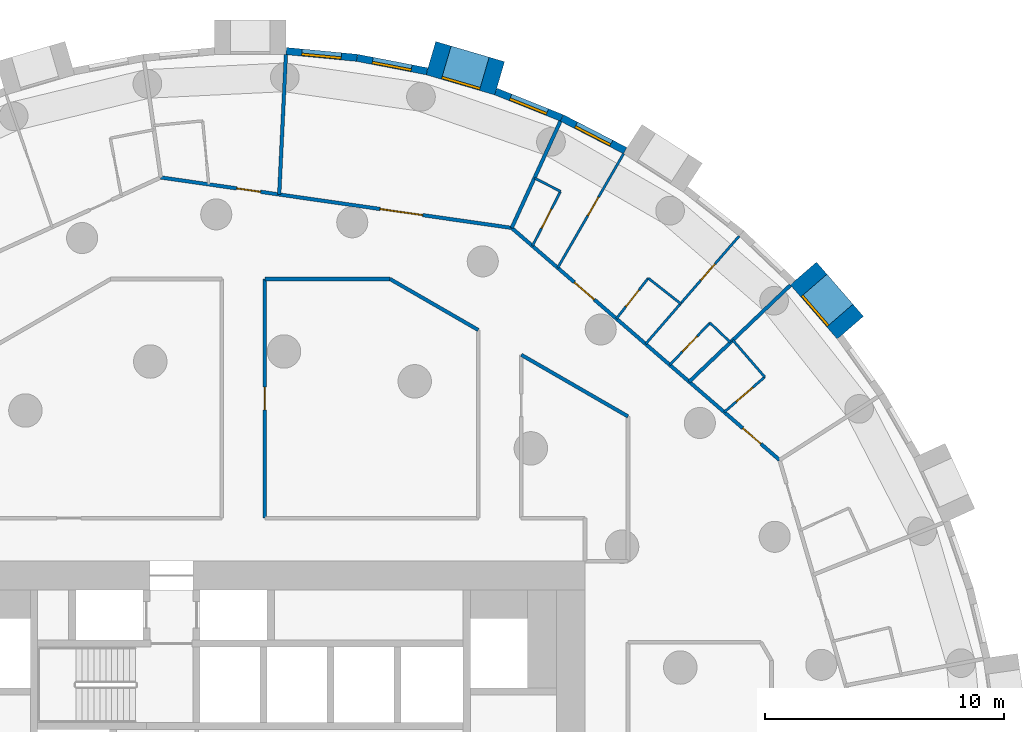
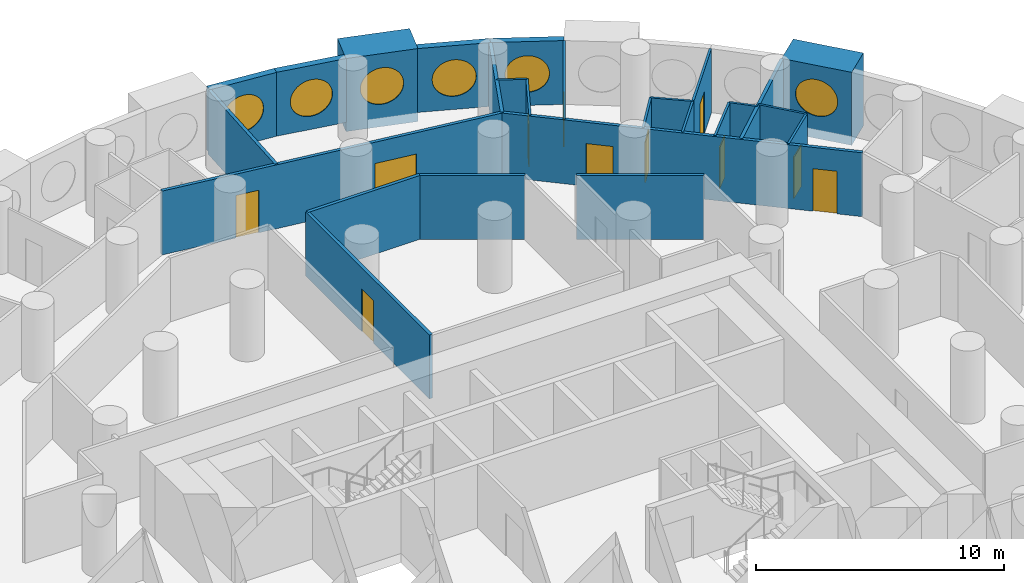
# One storey, part 10 of 12: 26 walls, 11 doors, 6 windows, 17 openings.
"""IFC4 building model written with IfcOpenShell, lengths in metres."""

from ifc_helpers import new_model, si_unit, direction, frame, frame_2d, origin, origin_2d, place, context, subcontext, project, spatial, rectangle, circle, extrude, material, layer, layer_set, type_object, element, fill, save


model = new_model("IFC4")

# Units and contexts
model_context = context("Model", 3, precision=1e-05, world=origin(), true_north=direction((0.0, 1.0)))
body_context = subcontext(model_context, "Body", "Model", "MODEL_VIEW")
ifc_project = project(units=[si_unit("LENGTHUNIT", "METRE"), si_unit("AREAUNIT", "SQUARE_METRE"), si_unit("VOLUMEUNIT", "CUBIC_METRE"), si_unit("PLANEANGLEUNIT", "RADIAN"), si_unit("MASSUNIT", "GRAM", prefix="KILO")], contexts=[model_context])

# Site, building, storey
site_placement = place(None, origin())
site = spatial("IfcSite", under=ifc_project, at=site_placement, CompositionType="ELEMENT")
building_placement = place(site_placement, origin())
building = spatial("IfcBuilding", under=site, at=building_placement, Name="Tracery Tower", CompositionType="ELEMENT")
storey_placement = place(building_placement, frame((0.0, 0.0, 103.800048828125)))
storey = spatial("IfcBuildingStorey", under=building, at=storey_placement, Name="L26", CompositionType="ELEMENT", Elevation=103.800048828125)

# Wall, opening, window
ifc_material_1 = material(Name="Precast concrete C50/60", Category="concrete")
ifc_layer_1 = layer(ifc_material_1, 1.449951171875)
ifc_layer_set_1 = layer_set([ifc_layer_1], Name="Deep-set bay unit 3000 x 3600, slab edge 450")
wall_type_1 = type_object("IfcWallType", Name="Deep-set bay unit 3000 x 3600, slab edge 450", PredefinedType="ELEMENTEDWALL", material=ifc_layer_set_1)
wall_1_placement = place(storey_placement, frame((25.101318359375, 19.765625, -0.449951171875), z_axis=(0.0, 0.0, 1.0), x_axis=(-0.654890259022, 0.75572398972, 0.0)))
wall_1 = element("IfcWall", 1, at=wall_1_placement, inside=storey, type_object=wall_type_1, Name="Deep-set bay unit 8 at L26", PredefinedType="ELEMENTEDWALL", context=body_context, shape_type="SweptSolid", body=[
    extrude(rectangle(XDim=3.0, YDim=1.449951171875, at=frame_2d((1.5, 0.0))), origin(), (0.0, 0.0, 1.0), 3.599853515625),
])
opening_1_placement = place(wall_1_placement, frame((1.5, 0.0, 2.0)))
opening_1 = element("IfcOpeningElement", 2, at=opening_1_placement, cuts=wall_1, Name="Opening WN1", PredefinedType="OPENING", context=body_context, shape_type="SweptSolid", body=[
    extrude(circle(Radius=0.9000244140625, at=origin_2d()), frame((0.0, 0.73486328125, 0.0), z_axis=(0.0, -1.0, 0.0), x_axis=(1.0, 0.0, 0.0)), (0.0, 0.0, 1.0), 1.469970703125),
])
ifc_material_2 = material(Name="Aluminium frame with tinted double glazing", Category="aluminium")
window_type = type_object("IfcWindowType", Name="Round window 1800", PartitioningType="SINGLE_PANEL", PredefinedType="WINDOW", material=ifc_material_2)
window_1_placement = place(opening_1_placement, origin())
window_1 = element("IfcWindow", 3, at=window_1_placement, inside=storey, type_object=window_type, Name="Round window 8 at L26", OverallHeight=1.800048828125, OverallWidth=1.800048828125, PartitioningType="SINGLE_PANEL", PredefinedType="WINDOW", context=body_context, shape_type="SweptSolid", body=[
    extrude(circle(Radius=0.9000244140625, at=origin_2d()), frame((0.0, 0.69482421875, 0.0), z_axis=(0.0, -1.0, 0.0), x_axis=(1.0, 0.0, 0.0)), (0.0, 0.0, 1.0), 0.10009765625),
])
fill(opening_1, window_1)

wall_2_placement = place(storey_placement, frame((10.430419921875, 30.198486328125, -0.449951171875), z_axis=(0.0, 0.0, 1.0), x_axis=(-0.959489813418, 0.281743319258, 0.0)))
wall_2 = element("IfcWall", 4, at=wall_2_placement, inside=storey, type_object=wall_type_1, Name="Deep-set bay unit 14 at L26", PredefinedType="ELEMENTEDWALL", context=body_context, shape_type="SweptSolid", body=[
    extrude(rectangle(XDim=3.0, YDim=1.449951171875, at=frame_2d((1.5, 0.0))), origin(), (0.0, 0.0, 1.0), 3.599853515625),
])
opening_2_placement = place(wall_2_placement, frame((1.5, 0.0, 2.0)))
opening_2 = element("IfcOpeningElement", 5, at=opening_2_placement, cuts=wall_2, Name="Opening WN1", PredefinedType="OPENING", context=body_context, shape_type="SweptSolid", body=[
    extrude(circle(Radius=0.9000244140625, at=origin_2d()), frame((0.0, 0.73486328125, 0.0), z_axis=(0.0, -1.0, 0.0), x_axis=(1.0, 0.0, 0.0)), (0.0, 0.0, 1.0), 1.469970703125),
])
window_2_placement = place(opening_2_placement, origin())
window_2 = element("IfcWindow", 6, at=window_2_placement, inside=storey, type_object=window_type, Name="Round window 14 at L26", OverallHeight=1.800048828125, OverallWidth=1.800048828125, PartitioningType="SINGLE_PANEL", PredefinedType="WINDOW", context=body_context, shape_type="SweptSolid", body=[
    extrude(circle(Radius=0.9000244140625, at=origin_2d()), frame((0.0, 0.69482421875, 0.0), z_axis=(0.0, -1.0, 0.0), x_axis=(1.0, 0.0, 0.0)), (0.0, 0.0, 1.0), 0.10009765625),
])
fill(opening_2, window_2)

ifc_material_3 = material(Name="Precast concrete C50/60", Category="concrete")
ifc_layer_2 = layer(ifc_material_3, 0.300048828125)
ifc_layer_set_2 = layer_set([ifc_layer_2], Name="Facade panel 3000 x 3150")
wall_type_2 = type_object("IfcWallType", Name="Facade panel 3000 x 3150", PredefinedType="SOLIDWALL", material=ifc_layer_set_2)
wall_3_placement = place(storey_placement, frame((15.681884765625, 27.173828125, 0.0), z_axis=(0.0, 0.0, 1.0), x_axis=(-0.888819853856, 0.458256770153, 0.0)))
wall_3 = element("IfcWall", 7, at=wall_3_placement, inside=storey, type_object=wall_type_2, Name="Facade panel 12 at L26", PredefinedType="SOLIDWALL", context=body_context, shape_type="SweptSolid", body=[
    extrude(rectangle(XDim=2.979736328125, YDim=0.300048828125, at=frame_2d((1.48974609375, 0.0))), origin(), (0.0, 0.0, 1.0), 3.14990234375),
])
opening_3_placement = place(wall_3_placement, frame((1.48974609375, 0.0, 1.5498046875)))
opening_3 = element("IfcOpeningElement", 8, at=opening_3_placement, cuts=wall_3, Name="Opening WN1", PredefinedType="OPENING", context=body_context, shape_type="SweptSolid", body=[
    extrude(circle(Radius=0.9000244140625, at=origin_2d()), frame((0.0, 0.159912109375, 0.0), z_axis=(0.0, -1.0, 0.0), x_axis=(1.0, 0.0, 0.0)), (0.0, 0.0, 1.0), 0.320068359375),
])
window_3_placement = place(opening_3_placement, origin())
window_3 = element("IfcWindow", 9, at=window_3_placement, inside=storey, type_object=window_type, Name="Round window 12 at L26", OverallHeight=1.800048828125, OverallWidth=1.800048828125, PartitioningType="SINGLE_PANEL", PredefinedType="WINDOW", context=body_context, shape_type="SweptSolid", body=[
    extrude(circle(Radius=0.9000244140625, at=origin_2d()), frame((0.0, 0.1201171875, 0.0), z_axis=(0.0, -1.0, 0.0), x_axis=(1.0, 0.0, 0.0)), (0.0, 0.0, 1.0), 0.10009765625),
])
fill(opening_3, window_3)

wall_4_placement = place(storey_placement, frame((13.033447265625, 28.539306640625, 0.0), z_axis=(0.0, 0.0, 1.0), x_axis=(-0.928403213937, 0.371574316054, 0.0)))
wall_4 = element("IfcWall", 10, at=wall_4_placement, inside=storey, type_object=wall_type_2, Name="Facade panel 13 at L26", PredefinedType="SOLIDWALL", context=body_context, shape_type="SweptSolid", body=[
    extrude(rectangle(XDim=2.979736328125, YDim=0.300048828125, at=frame_2d((1.48974609375, 0.0))), origin(), (0.0, 0.0, 1.0), 3.14990234375),
])
opening_4_placement = place(wall_4_placement, frame((1.48974609375, 0.0, 1.5498046875)))
opening_4 = element("IfcOpeningElement", 11, at=opening_4_placement, cuts=wall_4, Name="Opening WN1", PredefinedType="OPENING", context=body_context, shape_type="SweptSolid", body=[
    extrude(circle(Radius=0.9000244140625, at=origin_2d()), frame((0.0, 0.159912109375, 0.0), z_axis=(0.0, -1.0, 0.0), x_axis=(1.0, 0.0, 0.0)), (0.0, 0.0, 1.0), 0.320068359375),
])
window_4_placement = place(opening_4_placement, origin())
window_4 = element("IfcWindow", 12, at=window_4_placement, inside=storey, type_object=window_type, Name="Round window 13 at L26", OverallHeight=1.800048828125, OverallWidth=1.800048828125, PartitioningType="SINGLE_PANEL", PredefinedType="WINDOW", context=body_context, shape_type="SweptSolid", body=[
    extrude(circle(Radius=0.9000244140625, at=origin_2d()), frame((0.0, 0.1201171875, 0.0), z_axis=(0.0, -1.0, 0.0), x_axis=(1.0, 0.0, 0.0)), (0.0, 0.0, 1.0), 0.10009765625),
])
fill(opening_4, window_4)

wall_5_placement = place(storey_placement, frame((7.390869140625, 30.4912109375, 0.0), z_axis=(0.0, 0.0, 1.0), x_axis=(-0.981924535406, 0.189272836848, 0.0)))
wall_5 = element("IfcWall", 13, at=wall_5_placement, inside=storey, type_object=wall_type_2, Name="Facade panel 15 at L26", PredefinedType="SOLIDWALL", context=body_context, shape_type="SweptSolid", body=[
    extrude(rectangle(XDim=2.979736328125, YDim=0.300048828125, at=frame_2d((1.48974609375, 0.0))), origin(), (0.0, 0.0, 1.0), 3.14990234375),
])
opening_5_placement = place(wall_5_placement, frame((1.48974609375, 0.0, 1.5498046875)))
opening_5 = element("IfcOpeningElement", 14, at=opening_5_placement, cuts=wall_5, Name="Opening WN1", PredefinedType="OPENING", context=body_context, shape_type="SweptSolid", body=[
    extrude(circle(Radius=0.9000244140625, at=origin_2d()), frame((0.0, 0.159912109375, 0.0), z_axis=(0.0, -1.0, 0.0), x_axis=(1.0, 0.0, 0.0)), (0.0, 0.0, 1.0), 0.320068359375),
])
window_5_placement = place(opening_5_placement, origin())
window_5 = element("IfcWindow", 15, at=window_5_placement, inside=storey, type_object=window_type, Name="Round window 15 at L26", OverallHeight=1.800048828125, OverallWidth=1.800048828125, PartitioningType="SINGLE_PANEL", PredefinedType="WINDOW", context=body_context, shape_type="SweptSolid", body=[
    extrude(circle(Radius=0.9000244140625, at=origin_2d()), frame((0.0, 0.1201171875, 0.0), z_axis=(0.0, -1.0, 0.0), x_axis=(1.0, 0.0, 0.0)), (0.0, 0.0, 1.0), 0.10009765625),
])
fill(opening_5, window_5)

wall_6_placement = place(storey_placement, frame((4.465087890625, 31.05517578125, 0.0), z_axis=(0.0, 0.0, 1.0), x_axis=(-0.995473351551, 0.095041077185, 0.0)))
wall_6 = element("IfcWall", 16, at=wall_6_placement, inside=storey, type_object=wall_type_2, Name="Facade panel 16 at L26", PredefinedType="SOLIDWALL", context=body_context, shape_type="SweptSolid", body=[
    extrude(rectangle(XDim=2.979736328125, YDim=0.300048828125, at=frame_2d((1.48974609375, 0.0))), origin(), (0.0, 0.0, 1.0), 3.14990234375),
])
opening_6_placement = place(wall_6_placement, frame((1.48974609375, 0.0, 1.5498046875)))
opening_6 = element("IfcOpeningElement", 17, at=opening_6_placement, cuts=wall_6, Name="Opening WN1", PredefinedType="OPENING", context=body_context, shape_type="SweptSolid", body=[
    extrude(circle(Radius=0.9000244140625, at=origin_2d()), frame((0.0, 0.159912109375, 0.0), z_axis=(0.0, -1.0, 0.0), x_axis=(1.0, 0.0, 0.0)), (0.0, 0.0, 1.0), 0.320068359375),
])
window_6_placement = place(opening_6_placement, origin())
window_6 = element("IfcWindow", 18, at=window_6_placement, inside=storey, type_object=window_type, Name="Round window 16 at L26", OverallHeight=1.800048828125, OverallWidth=1.800048828125, PartitioningType="SINGLE_PANEL", PredefinedType="WINDOW", context=body_context, shape_type="SweptSolid", body=[
    extrude(circle(Radius=0.9000244140625, at=origin_2d()), frame((0.0, 0.1201171875, 0.0), z_axis=(0.0, -1.0, 0.0), x_axis=(1.0, 0.0, 0.0)), (0.0, 0.0, 1.0), 0.10009765625),
])
fill(opening_6, window_6)

# Wall, opening, door
ifc_material_4 = material(Name="Plasterboard on steel studs", Category="steel")
ifc_layer_3 = layer(ifc_material_4, 0.10009765625)
ifc_layer_set_3 = layer_set([ifc_layer_3], Name="Partition 100 stud")
wall_type_3 = type_object("IfcWallType", Name="Partition 100 stud", PredefinedType="PARTITIONING", material=ifc_layer_set_3)
wall_7_placement = place(storey_placement, frame((18.0, 20.77294921875, 0.0), z_axis=(0.0, 0.0, 1.0), x_axis=(0.654885780154, 0.755727870964, 0.0)))
wall_7 = element("IfcWall", 19, at=wall_7_placement, inside=storey, type_object=wall_type_3, Name="Stud partition RA8-075", PredefinedType="PARTITIONING", context=body_context, shape_type="SweptSolid", body=[
    extrude(rectangle(XDim=3.738037109375, YDim=0.10009765625, at=frame_2d((1.869140625, 0.0))), origin(), (0.0, 0.0, 1.0), 3.14990234375),
])
opening_7_placement = place(wall_7_placement, frame((1.297119140625, 0.0, 0.0)))
opening_7 = element("IfcOpeningElement", 20, at=opening_7_placement, cuts=wall_7, Name="Opening RA8-20", PredefinedType="OPENING", context=body_context, shape_type="SweptSolid", body=[
    extrude(rectangle(XDim=0.89990234375, YDim=2.10009765625, at=frame_2d((0.449951171875, 1.050048828125))), frame((0.0, 0.050048828125, 0.0), z_axis=(0.0, -1.0, 0.0), x_axis=(1.0, 0.0, 0.0)), (0.0, 0.0, 1.0), 0.10009765625),
])
ifc_material_5 = material(Name="Timber door leaf", Category="wood")
door_type_1 = type_object("IfcDoorType", Name="Door bedroom 900", OperationType="NOTDEFINED", PredefinedType="DOOR", material=ifc_material_5)
door_1_placement = place(opening_7_placement, origin())
door_1 = element("IfcDoor", 21, at=door_1_placement, inside=storey, type_object=door_type_1, Name="Bedroom door RA8-20", OperationType="SINGLE_SWING_RIGHT", OverallHeight=2.10009765625, OverallWidth=0.89990234375, PredefinedType="DOOR", context=body_context, shape_type="SweptSolid", body=[
    extrude(rectangle(XDim=0.89990234375, YDim=2.10009765625, at=frame_2d((0.449951171875, 1.050048828125))), frame((0.0, 0.02490234375, 0.0), z_axis=(0.0, -1.0, 0.0), x_axis=(1.0, 0.0, 0.0)), (0.0, 0.0, 1.0), 0.050048828125),
])
fill(opening_7, door_1)

wall_8_placement = place(storey_placement, frame((12.85888671875, 22.27197265625, 0.0), z_axis=(0.0, 0.0, 1.0), x_axis=(0.499968073049, 0.866043836033, 0.0)))
wall_8 = element("IfcWall", 22, at=wall_8_placement, inside=storey, type_object=wall_type_3, Name="Stud partition RA8-076", PredefinedType="PARTITIONING", context=body_context, shape_type="SweptSolid", body=[
    extrude(rectangle(XDim=5.506591796875, YDim=0.10009765625, at=frame_2d((2.75341796875, 0.0))), origin(), (0.0, 0.0, 1.0), 3.14990234375),
])
opening_8_placement = place(wall_8_placement, frame((2.513916015625, 0.0, 0.0)))
opening_8 = element("IfcOpeningElement", 23, at=opening_8_placement, cuts=wall_8, Name="Opening RA8-22", PredefinedType="OPENING", context=body_context, shape_type="SweptSolid", body=[
    extrude(rectangle(XDim=0.89990234375, YDim=2.10009765625, at=frame_2d((0.449951171875, 1.050048828125))), frame((0.0, 0.050048828125, 0.0), z_axis=(0.0, -1.0, 0.0), x_axis=(1.0, 0.0, 0.0)), (0.0, 0.0, 1.0), 0.10009765625),
])
door_2_placement = place(opening_8_placement, origin())
door_2 = element("IfcDoor", 24, at=door_2_placement, inside=storey, type_object=door_type_1, Name="Bedroom door RA8-22", OperationType="SINGLE_SWING_RIGHT", OverallHeight=2.10009765625, OverallWidth=0.89990234375, PredefinedType="DOOR", context=body_context, shape_type="SweptSolid", body=[
    extrude(rectangle(XDim=0.89990234375, YDim=2.10009765625, at=frame_2d((0.449951171875, 1.050048828125))), frame((0.0, 0.02490234375, 0.0), z_axis=(0.0, -1.0, 0.0), x_axis=(1.0, 0.0, 0.0)), (0.0, 0.0, 1.0), 0.050048828125),
])
fill(opening_8, door_2)

ifc_material_6 = material(Name="Plasterboard on steel studs", Category="steel")
ifc_layer_4 = layer(ifc_material_6, 0.10009765625)
ifc_layer_set_4 = layer_set([ifc_layer_4], Name="Partition 100 wet wall")
wall_type_4 = type_object("IfcWallType", Name="Partition 100 wet wall", PredefinedType="PARTITIONING", material=ifc_layer_set_4)
wall_9_placement = place(storey_placement, frame((19.825927734375, 16.23388671875, 0.0), z_axis=(0.0, 0.0, 1.0), x_axis=(0.755703447798, 0.654913963042, 0.0)))
wall_9 = element("IfcWall", 25, at=wall_9_placement, inside=storey, type_object=wall_type_4, Name="Wet wall RA8-070", PredefinedType="PARTITIONING", context=body_context, shape_type="SweptSolid", body=[
    extrude(rectangle(XDim=2.242919921875, YDim=0.10009765625, at=frame_2d((1.12158203125, 0.0))), origin(), (0.0, 0.0, 1.0), 3.14990234375),
])
opening_9_placement = place(wall_9_placement, frame((0.6708984375, 0.0, 0.0)))
opening_9 = element("IfcOpeningElement", 26, at=opening_9_placement, cuts=wall_9, Name="Opening RA8-16", PredefinedType="OPENING", context=body_context, shape_type="SweptSolid", body=[
    extrude(rectangle(XDim=0.89990234375, YDim=2.0400390625, at=frame_2d((0.449951171875, 1.02001953125))), frame((0.0, 0.050048828125, 0.0), z_axis=(0.0, -1.0, 0.0), x_axis=(1.0, 0.0, 0.0)), (0.0, 0.0, 1.0), 0.10009765625),
])
ifc_material_7 = material(Name="Timber door leaf", Category="wood")
door_type_2 = type_object("IfcDoorType", Name="Door en-suite 900", OperationType="NOTDEFINED", PredefinedType="DOOR", material=ifc_material_7)
door_3_placement = place(opening_9_placement, origin())
door_3 = element("IfcDoor", 27, at=door_3_placement, inside=storey, type_object=door_type_2, Name="En-suite door RA8-16", OperationType="SINGLE_SWING_LEFT", OverallHeight=2.0400390625, OverallWidth=0.89990234375, PredefinedType="DOOR", context=body_context, shape_type="SweptSolid", body=[
    extrude(rectangle(XDim=0.89990234375, YDim=2.0400390625, at=frame_2d((0.449951171875, 1.02001953125))), frame((0.0, 0.02490234375, 0.0), z_axis=(0.0, -1.0, 0.0), x_axis=(1.0, 0.0, 0.0)), (0.0, 0.0, 1.0), 0.050048828125),
])
fill(opening_9, door_3)

# Walls
wall_10_placement = place(storey_placement, frame((20.18408203125, 19.2451171875, 0.0), z_axis=(0.0, 0.0, 1.0), x_axis=(0.655017058368, -0.755614090159, 0.0)))
element("IfcWall", 28, at=wall_10_placement, inside=storey, type_object=wall_type_4, Name="Wet wall RA8-071", PredefinedType="PARTITIONING", context=body_context, shape_type="SweptSolid", body=[
    extrude(rectangle(XDim=2.041015625, YDim=0.10009765625, at=frame_2d((1.0205078125, 0.0))), origin(), (0.0, 0.0, 1.0), 3.14990234375),
])
wall_11_placement = place(storey_placement, frame((16.64599609375, 21.837890625, 0.0), z_axis=(0.0, 0.0, 1.0), x_axis=(0.78601333061, -0.618209547082, 0.0)))
element("IfcWall", 29, at=wall_11_placement, inside=storey, type_object=wall_type_4, Name="Wet wall RA8-073", PredefinedType="PARTITIONING", context=body_context, shape_type="SweptSolid", body=[
    extrude(rectangle(XDim=1.72265625, YDim=0.10009765625, at=frame_2d((0.861328125, 0.0))), origin(), (0.0, 0.0, 1.0), 3.14990234375),
])

# Wall, opening, door
wall_12_placement = place(storey_placement, frame((15.31494140625, 20.14404296875, 0.0), z_axis=(0.0, 0.0, 1.0), x_axis=(0.617871601496, 0.786279011588, 0.0)))
wall_12 = element("IfcWall", 30, at=wall_12_placement, inside=storey, type_object=wall_type_4, Name="Wet wall RA8-074", PredefinedType="PARTITIONING", context=body_context, shape_type="SweptSolid", body=[
    extrude(rectangle(XDim=2.154296875, YDim=0.10009765625, at=frame_2d((1.0771484375, 0.0))), origin(), (0.0, 0.0, 1.0), 3.14990234375),
])
opening_10_placement = place(wall_12_placement, frame((0.627197265625, 0.0, 0.0)))
opening_10 = element("IfcOpeningElement", 31, at=opening_10_placement, cuts=wall_12, Name="Opening RA8-19", PredefinedType="OPENING", context=body_context, shape_type="SweptSolid", body=[
    extrude(rectangle(XDim=0.89990234375, YDim=2.0, at=frame_2d((0.449951171875, 1.0))), frame((0.0, 0.050048828125, 0.0), z_axis=(0.0, -1.0, 0.0), x_axis=(1.0, 0.0, 0.0)), (0.0, 0.0, 1.0), 0.10009765625),
])
ifc_material_8 = material(Name="Timber door leaf", Category="wood")
door_type_3 = type_object("IfcDoorType", Name="Door shower room 900", OperationType="NOTDEFINED", PredefinedType="DOOR", material=ifc_material_8)
door_4_placement = place(opening_10_placement, origin())
door_4 = element("IfcDoor", 32, at=door_4_placement, inside=storey, type_object=door_type_3, Name="Shower room door RA8-19", OperationType="SINGLE_SWING_LEFT", OverallHeight=2.0, OverallWidth=0.89990234375, PredefinedType="DOOR", context=body_context, shape_type="SweptSolid", body=[
    extrude(rectangle(XDim=0.89990234375, YDim=2.0, at=frame_2d((0.449951171875, 1.0))), frame((0.0, 0.02490234375, 0.0), z_axis=(0.0, -1.0, 0.0), x_axis=(1.0, 0.0, 0.0)), (0.0, 0.0, 1.0), 0.050048828125),
])
fill(opening_10, door_4)

# Walls
wall_13_placement = place(storey_placement, frame((16.537109375, 19.0849609375, 0.0), z_axis=(0.0, 0.0, 1.0), x_axis=(0.654922216086, 0.755696295397, 0.0)))
element("IfcWall", 33, at=wall_13_placement, inside=storey, type_object=wall_type_4, Name="Wet wall RA8-077", PredefinedType="PARTITIONING", context=body_context, shape_type="SweptSolid", body=[
    extrude(rectangle(XDim=2.233642578125, YDim=0.10009765625, at=frame_2d((1.11669921875, 0.0))), origin(), (0.0, 0.0, 1.0), 3.14990234375),
])
wall_14_placement = place(storey_placement, frame((19.22705078125, 19.968017578125, 0.0), z_axis=(0.0, 0.0, 1.0), x_axis=(0.724103627225, -0.68969118962, 0.0)))
element("IfcWall", 34, at=wall_14_placement, inside=storey, type_object=wall_type_4, Name="Wet wall RA8-078", PredefinedType="PARTITIONING", context=body_context, shape_type="SweptSolid", body=[
    extrude(rectangle(XDim=1.184814453125, YDim=0.10009765625, at=frame_2d((0.59228515625, 0.0))), origin(), (0.0, 0.0, 1.0), 3.14990234375),
])

# Wall, opening, door
wall_15_placement = place(storey_placement, frame((17.549072265625, 18.2080078125, 0.0), z_axis=(0.0, 0.0, 1.0), x_axis=(0.690038643162, 0.723772527071, 0.0)))
wall_15 = element("IfcWall", 35, at=wall_15_placement, inside=storey, type_object=wall_type_4, Name="Wet wall RA8-079", PredefinedType="PARTITIONING", context=body_context, shape_type="SweptSolid", body=[
    extrude(rectangle(XDim=2.431640625, YDim=0.10009765625, at=frame_2d((1.2158203125, 0.0))), origin(), (0.0, 0.0, 1.0), 3.14990234375),
])
opening_11_placement = place(wall_15_placement, frame((0.765625, 0.0, 0.0)))
opening_11 = element("IfcOpeningElement", 36, at=opening_11_placement, cuts=wall_15, Name="Opening RA8-21", PredefinedType="OPENING", context=body_context, shape_type="SweptSolid", body=[
    extrude(rectangle(XDim=0.89990234375, YDim=2.0400390625, at=frame_2d((0.449951171875, 1.02001953125))), frame((0.0, 0.050048828125, 0.0), z_axis=(0.0, -1.0, 0.0), x_axis=(1.0, 0.0, 0.0)), (0.0, 0.0, 1.0), 0.10009765625),
])
door_5_placement = place(opening_11_placement, origin())
door_5 = element("IfcDoor", 37, at=door_5_placement, inside=storey, type_object=door_type_2, Name="En-suite door RA8-21", OperationType="SINGLE_SWING_RIGHT", OverallHeight=2.0400390625, OverallWidth=0.89990234375, PredefinedType="DOOR", context=body_context, shape_type="SweptSolid", body=[
    extrude(rectangle(XDim=0.89990234375, YDim=2.0400390625, at=frame_2d((0.449951171875, 1.02001953125))), frame((0.0, 0.02490234375, 0.0), z_axis=(0.0, -1.0, 0.0), x_axis=(1.0, 0.0, 0.0)), (0.0, 0.0, 1.0), 0.050048828125),
])
fill(opening_11, door_5)

wall_16_placement = place(storey_placement, frame((11.802001953125, 23.18798828125, 0.0), z_axis=(0.0, 0.0, 1.0), x_axis=(0.457961150758, 0.888972206763, 0.0)))
wall_16 = element("IfcWall", 38, at=wall_16_placement, inside=storey, type_object=wall_type_4, Name="Wet wall RA8-080", PredefinedType="PARTITIONING", context=body_context, shape_type="SweptSolid", body=[
    extrude(rectangle(XDim=2.563720703125, YDim=0.10009765625, at=frame_2d((1.28173828125, 0.0))), origin(), (0.0, 0.0, 1.0), 3.14990234375),
])
opening_12_placement = place(wall_16_placement, frame((0.83203125, 0.0, 0.0)))
opening_12 = element("IfcOpeningElement", 39, at=opening_12_placement, cuts=wall_16, Name="Opening RA8-23", PredefinedType="OPENING", context=body_context, shape_type="SweptSolid", body=[
    extrude(rectangle(XDim=0.89990234375, YDim=2.0400390625, at=frame_2d((0.449951171875, 1.02001953125))), frame((0.0, 0.050048828125, 0.0), z_axis=(0.0, -1.0, 0.0), x_axis=(1.0, 0.0, 0.0)), (0.0, 0.0, 1.0), 0.10009765625),
])
door_6_placement = place(opening_12_placement, origin())
door_6 = element("IfcDoor", 40, at=door_6_placement, inside=storey, type_object=door_type_2, Name="En-suite door RA8-23", OperationType="SINGLE_SWING_RIGHT", OverallHeight=2.0400390625, OverallWidth=0.89990234375, PredefinedType="DOOR", context=body_context, shape_type="SweptSolid", body=[
    extrude(rectangle(XDim=0.89990234375, YDim=2.0400390625, at=frame_2d((0.449951171875, 1.02001953125))), frame((0.0, 0.02490234375, 0.0), z_axis=(0.0, -1.0, 0.0), x_axis=(1.0, 0.0, 0.0)), (0.0, 0.0, 1.0), 0.050048828125),
])
fill(opening_12, door_6)

# Walls
wall_17_placement = place(storey_placement, frame((11.886962890625, 26.028076171875, 0.0), z_axis=(0.0, 0.0, 1.0), x_axis=(0.888981931645, -0.457942272791, 0.0)))
element("IfcWall", 41, at=wall_17_placement, inside=storey, type_object=wall_type_4, Name="Wet wall RA8-081", PredefinedType="PARTITIONING", context=body_context, shape_type="SweptSolid", body=[
    extrude(rectangle(XDim=1.22509765625, YDim=0.10009765625, at=frame_2d((0.612548828125, 0.0))), origin(), (0.0, 0.0, 1.0), 3.14990234375),
])
ifc_material_9 = material(Name="Plasterboard on steel studs", Category="steel")
ifc_layer_5 = layer(ifc_material_9, 0.14990234375)
ifc_layer_set_5 = layer_set([ifc_layer_5], Name="Partition 150 acoustic unit wall")
wall_type_5 = type_object("IfcWallType", Name="Partition 150 acoustic unit wall", PredefinedType="PARTITIONING", material=ifc_layer_set_5)
wall_18_placement = place(storey_placement, frame((18.359619140625, 17.50537109375, 0.0), z_axis=(0.0, 0.0, 1.0), x_axis=(0.723686703731, 0.690128650937, 0.0)))
element("IfcWall", 42, at=wall_18_placement, inside=storey, type_object=wall_type_5, Name="Unit wall RA8-072", PredefinedType="PARTITIONING", context=body_context, shape_type="SweptSolid", body=[
    extrude(rectangle(XDim=5.8564453125, YDim=0.14990234375, at=frame_2d((2.92822265625, 0.0))), origin(), (0.0, 0.0, 1.0), 3.14990234375),
])
wall_19_placement = place(storey_placement, frame((10.933837890625, 23.939697265625, 0.0), z_axis=(0.0, 0.0, 1.0), x_axis=(0.415204619086, 0.909728049633, 0.0)))
element("IfcWall", 43, at=wall_19_placement, inside=storey, type_object=wall_type_5, Name="Unit wall RA8-082", PredefinedType="PARTITIONING", context=body_context, shape_type="SweptSolid", body=[
    extrude(rectangle(XDim=4.90625, YDim=0.14990234375, at=frame_2d((2.453125, 0.0))), origin(), (0.0, 0.0, 1.0), 3.14990234375),
])
wall_20_placement = place(storey_placement, frame((1.20703125, 25.339111328125, 0.0), z_axis=(0.0, 0.0, 1.0), x_axis=(0.047648334785, 0.998864173045, 0.0)))
element("IfcWall", 44, at=wall_20_placement, inside=storey, type_object=wall_type_5, Name="Unit wall RA8-083", PredefinedType="PARTITIONING", context=body_context, shape_type="SweptSolid", body=[
    extrude(rectangle(XDim=5.8564453125, YDim=0.14990234375, at=frame_2d((2.92822265625, 0.0))), origin(), (0.0, 0.0, 1.0), 3.14990234375),
])

# Wall, openings, doors
ifc_material_10 = material(Name="Plasterboard on steel studs", Category="steel")
ifc_layer_6 = layer(ifc_material_10, 0.14990234375)
ifc_layer_set_6 = layer_set([ifc_layer_6], Name="Partition 150 corridor wall")
wall_type_6 = type_object("IfcWallType", Name="Partition 150 corridor wall", PredefinedType="PARTITIONING", material=ifc_layer_set_6)
wall_21_placement = place(storey_placement, frame((10.93212890625, 23.93896484375, 0.0), z_axis=(0.0, 0.0, 1.0), x_axis=(0.755838982892, -0.654757536757, 0.0)))
wall_21 = element("IfcWall", 45, at=wall_21_placement, inside=storey, type_object=wall_type_6, Name="Corridor wall RA8-022", PredefinedType="PARTITIONING", context=body_context, shape_type="SweptSolid", body=[
    extrude(rectangle(XDim=14.829833984375, YDim=0.14990234375, at=frame_2d((7.4150390625, 0.0))), origin(), (0.0, 0.0, 1.0), 3.14990234375),
])
opening_13_placement = place(wall_21_placement, frame((12.7958984375, 0.0, 0.0)))
opening_13 = element("IfcOpeningElement", 46, at=opening_13_placement, cuts=wall_21, Name="Opening RA8-17", PredefinedType="OPENING", context=body_context, shape_type="SweptSolid", body=[
    extrude(rectangle(XDim=1.0, YDim=2.10009765625, at=frame_2d((0.5, 1.050048828125))), frame((0.0, 0.074951171875, 0.0), z_axis=(0.0, -1.0, 0.0), x_axis=(1.0, 0.0, 0.0)), (0.0, 0.0, 1.0), 0.14990234375),
])
opening_14_placement = place(wall_21_placement, frame((3.472412109375, 0.0, 0.0)))
opening_14 = element("IfcOpeningElement", 47, at=opening_14_placement, cuts=wall_21, Name="Opening RA8-18", PredefinedType="OPENING", context=body_context, shape_type="SweptSolid", body=[
    extrude(rectangle(XDim=1.10009765625, YDim=2.10009765625, at=frame_2d((0.550048828125, 1.050048828125))), frame((0.0, 0.074951171875, 0.0), z_axis=(0.0, -1.0, 0.0), x_axis=(1.0, 0.0, 0.0)), (0.0, 0.0, 1.0), 0.14990234375),
])
ifc_material_11 = material(Name="Timber door leaf", Category="wood")
door_type_4 = type_object("IfcDoorType", Name="Door cluster entrance 1100", OperationType="NOTDEFINED", PredefinedType="DOOR", material=ifc_material_11)
door_7_placement = place(opening_14_placement, origin())
door_7 = element("IfcDoor", 48, at=door_7_placement, inside=storey, type_object=door_type_4, Name="Cluster entrance door RA8-18", OperationType="SINGLE_SWING_LEFT", OverallHeight=2.10009765625, OverallWidth=1.10009765625, PredefinedType="DOOR", context=body_context, shape_type="SweptSolid", body=[
    extrude(rectangle(XDim=1.10009765625, YDim=2.10009765625, at=frame_2d((0.550048828125, 1.050048828125))), frame((0.0, 0.02490234375, 0.0), z_axis=(0.0, -1.0, 0.0), x_axis=(1.0, 0.0, 0.0)), (0.0, 0.0, 1.0), 0.050048828125),
])
fill(opening_14, door_7)
ifc_material_12 = material(Name="Timber door leaf", Category="wood")
door_type_5 = type_object("IfcDoorType", Name="Door unit entrance 1000", OperationType="NOTDEFINED", PredefinedType="DOOR", material=ifc_material_12)
door_8_placement = place(opening_13_placement, origin())
door_8 = element("IfcDoor", 49, at=door_8_placement, inside=storey, type_object=door_type_5, Name="Unit entrance door RA8-17", OperationType="SINGLE_SWING_LEFT", OverallHeight=2.10009765625, OverallWidth=1.0, PredefinedType="DOOR", context=body_context, shape_type="SweptSolid", body=[
    extrude(rectangle(XDim=1.0, YDim=2.10009765625, at=frame_2d((0.5, 1.050048828125))), frame((0.0, 0.02490234375, 0.0), z_axis=(0.0, -1.0, 0.0), x_axis=(1.0, 0.0, 0.0)), (0.0, 0.0, 1.0), 0.050048828125),
])
fill(opening_13, door_8)

# Walls
wall_22_placement = place(storey_placement, frame((5.842041015625, 21.802001953125, 0.0), z_axis=(0.0, 0.0, 1.0), x_axis=(0.865983505205, -0.500072563448, 0.0)))
element("IfcWall", 50, at=wall_22_placement, inside=storey, type_object=wall_type_6, Name="Corridor wall RA8-029", PredefinedType="PARTITIONING", context=body_context, shape_type="SweptSolid", body=[
    extrude(rectangle(XDim=4.265380859375, YDim=0.14990234375, at=frame_2d((2.1328125, 0.0))), origin(), (0.0, 0.0, 1.0), 3.14990234375),
])
wall_23_placement = place(storey_placement, frame((0.60791015625, 21.802001953125, 0.0), z_axis=(0.0, 0.0, 1.0), x_axis=(1.0, 0.0, 0.0)))
element("IfcWall", 51, at=wall_23_placement, inside=storey, type_object=wall_type_6, Name="Corridor wall RA8-030", PredefinedType="PARTITIONING", context=body_context, shape_type="SweptSolid", body=[
    extrude(rectangle(XDim=5.234130859375, YDim=0.14990234375, at=frame_2d((2.6171875, 0.0))), origin(), (0.0, 0.0, 1.0), 3.14990234375),
])

# Wall, opening, door
wall_24_placement = place(storey_placement, frame((0.60791015625, 11.800048828125, 0.0), z_axis=(0.0, 0.0, 1.0), x_axis=(0.0, 1.0, 0.0)))
wall_24 = element("IfcWall", 52, at=wall_24_placement, inside=storey, type_object=wall_type_6, Name="Corridor wall RA8-031", PredefinedType="PARTITIONING", context=body_context, shape_type="SweptSolid", body=[
    extrude(rectangle(XDim=10.001953125, YDim=0.14990234375, at=frame_2d((5.0009765625, 0.0))), origin(), (0.0, 0.0, 1.0), 3.14990234375),
])
opening_15_placement = place(wall_24_placement, frame((4.52587890625, 0.0, 0.0)))
opening_15 = element("IfcOpeningElement", 53, at=opening_15_placement, cuts=wall_24, Name="Opening RA8-02", PredefinedType="OPENING", context=body_context, shape_type="SweptSolid", body=[
    extrude(rectangle(XDim=0.949951171875, YDim=2.10009765625, at=frame_2d((0.47509765625, 1.050048828125))), frame((0.0, 0.074951171875, 0.0), z_axis=(0.0, -1.0, 0.0), x_axis=(1.0, 0.0, 0.0)), (0.0, 0.0, 1.0), 0.14990234375),
])
ifc_material_13 = material(Name="Timber door leaf", Category="wood")
door_type_6 = type_object("IfcDoorType", Name="Door store 950", OperationType="NOTDEFINED", PredefinedType="DOOR", material=ifc_material_13)
door_9_placement = place(opening_15_placement, origin())
door_9 = element("IfcDoor", 54, at=door_9_placement, inside=storey, type_object=door_type_6, Name="Store door RA8-02", OperationType="SINGLE_SWING_RIGHT", OverallHeight=2.10009765625, OverallWidth=0.949951171875, PredefinedType="DOOR", context=body_context, shape_type="SweptSolid", body=[
    extrude(rectangle(XDim=0.949951171875, YDim=2.10009765625, at=frame_2d((0.47509765625, 1.050048828125))), frame((0.0, 0.02490234375, 0.0), z_axis=(0.0, -1.0, 0.0), x_axis=(1.0, 0.0, 0.0)), (0.0, 0.0, 1.0), 0.050048828125),
])
fill(opening_15, door_9)

# Wall
wall_25_placement = place(storey_placement, frame((11.3359375, 18.6298828125, 0.0), z_axis=(0.0, 0.0, 1.0), x_axis=(0.866063337164, -0.499934291702, 0.0)))
element("IfcWall", 55, at=wall_25_placement, inside=storey, type_object=wall_type_6, Name="Corridor wall RA8-032", PredefinedType="PARTITIONING", context=body_context, shape_type="SweptSolid", body=[
    extrude(rectangle(XDim=5.154541015625, YDim=0.14990234375, at=frame_2d((2.5771484375, 0.0))), origin(), (0.0, 0.0, 1.0), 3.14990234375),
])

# Wall, openings, doors
wall_26_placement = place(storey_placement, frame((-3.74609375, 26.050537109375, 0.0), z_axis=(0.0, 0.0, 1.0), x_axis=(0.989821009857, -0.142317843033, 0.0)))
wall_26 = element("IfcWall", 56, at=wall_26_placement, inside=storey, type_object=wall_type_6, Name="Corridor wall RA8-034", PredefinedType="PARTITIONING", context=body_context, shape_type="SweptSolid", body=[
    extrude(rectangle(XDim=14.830078125, YDim=0.14990234375, at=frame_2d((7.4150390625, 0.0))), origin(), (0.0, 0.0, 1.0), 3.14990234375),
])
opening_16_placement = place(wall_26_placement, frame((9.264892578125, 0.0, 0.0)))
opening_16 = element("IfcOpeningElement", 57, at=opening_16_placement, cuts=wall_26, Name="Opening RA8-24", PredefinedType="OPENING", context=body_context, shape_type="SweptSolid", body=[
    extrude(rectangle(XDim=1.800048828125, YDim=2.10009765625, at=frame_2d((0.89990234375, 1.050048828125))), frame((0.0, 0.074951171875, 0.0), z_axis=(0.0, -1.0, 0.0), x_axis=(1.0, 0.0, 0.0)), (0.0, 0.0, 1.0), 0.14990234375),
])
opening_17_placement = place(wall_26_placement, frame((3.213623046875, 0.0, 0.0)))
opening_17 = element("IfcOpeningElement", 58, at=opening_17_placement, cuts=wall_26, Name="Opening RA8-26", PredefinedType="OPENING", context=body_context, shape_type="SweptSolid", body=[
    extrude(rectangle(XDim=1.0, YDim=2.10009765625, at=frame_2d((0.5, 1.050048828125))), frame((0.0, 0.074951171875, 0.0), z_axis=(0.0, -1.0, 0.0), x_axis=(1.0, 0.0, 0.0)), (0.0, 0.0, 1.0), 0.14990234375),
])
ifc_material_14 = material(Name="Timber door leaf", Category="wood")
door_type_7 = type_object("IfcDoorType", Name="Door double lounge 1800", OperationType="NOTDEFINED", PredefinedType="DOOR", material=ifc_material_14)
door_10_placement = place(opening_16_placement, origin())
door_10 = element("IfcDoor", 59, at=door_10_placement, inside=storey, type_object=door_type_7, Name="Double lounge door RA8-24", OperationType="DOUBLE_DOOR_SINGLE_SWING", OverallHeight=2.10009765625, OverallWidth=1.800048828125, PredefinedType="DOOR", context=body_context, shape_type="SweptSolid", body=[
    extrude(rectangle(XDim=1.800048828125, YDim=2.10009765625, at=frame_2d((0.89990234375, 1.050048828125))), frame((0.0, 0.02490234375, 0.0), z_axis=(0.0, -1.0, 0.0), x_axis=(1.0, 0.0, 0.0)), (0.0, 0.0, 1.0), 0.050048828125),
])
fill(opening_16, door_10)
door_11_placement = place(opening_17_placement, origin())
door_11 = element("IfcDoor", 60, at=door_11_placement, inside=storey, type_object=door_type_5, Name="Unit entrance door RA8-26", OperationType="SINGLE_SWING_RIGHT", OverallHeight=2.10009765625, OverallWidth=1.0, PredefinedType="DOOR", context=body_context, shape_type="SweptSolid", body=[
    extrude(rectangle(XDim=1.0, YDim=2.10009765625, at=frame_2d((0.5, 1.050048828125))), frame((0.0, 0.02490234375, 0.0), z_axis=(0.0, -1.0, 0.0), x_axis=(1.0, 0.0, 0.0)), (0.0, 0.0, 1.0), 0.050048828125),
])
fill(opening_17, door_11)

save(model, "model.ifc")
